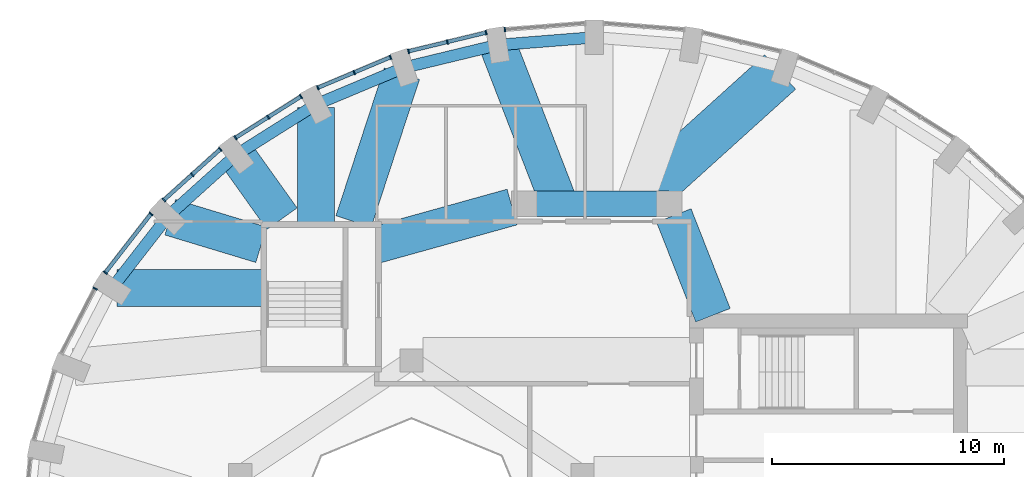
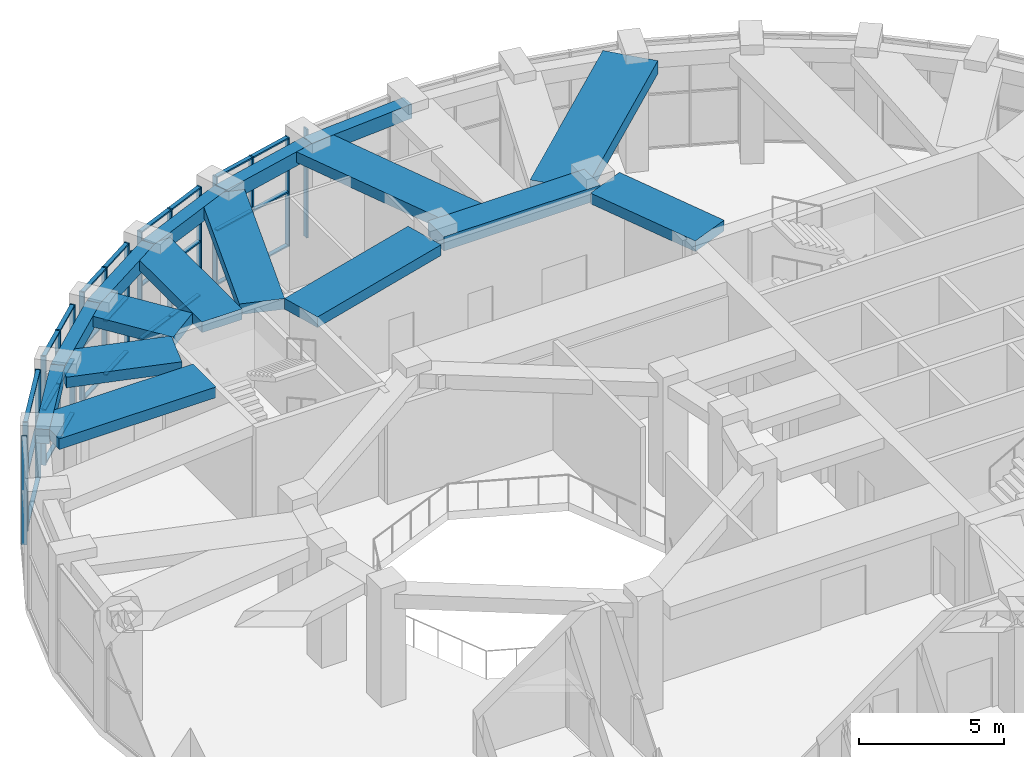
# One storey, part 7 of 16: 43 members, 16 beams, 7 elements without a shape of their own.
"""IFC4 building model written with IfcOpenShell, lengths in metres."""

import ifcopenshell
import ifcopenshell.guid

model = None  # the IFC model being written
_history = None  # IfcOwnerHistory: only IFC2X3 demands one
_inside = {}  # id of a spatial element -> (the spatial element, [elements in it])
_under = {}  # id of a project, library or spatial element -> (it, [spatial elements below it])
_declared = {}  # id of a project -> (the project, [libraries it declares])
_typed = {}  # id of a type object -> (the type object, [elements of that type])
_made_of = {}  # id of a material, layer set ... -> (it, [elements and type objects made of it])


def new_model(schema):
    """Start an empty IFC model of exactly this schema.

    Asked for "IFC4X3", IfcOpenShell would pick the latest addendum, in which some entities
    have other attributes; the version numbers below select the first issue.
    IFC2X3 requires an IfcOwnerHistory on every rooted entity: one is made here for all.
    """
    global model, _history
    if schema == "IFC4X3":
        model = ifcopenshell.file(schema_version=(4, 3, 0, 0))
    else:
        model = ifcopenshell.file(schema=schema)
    _inside.clear()
    _under.clear()
    _declared.clear()
    _typed.clear()
    _made_of.clear()
    _history = None
    if model.schema == "IFC2X3":
        org = make("IfcOrganization", Name="unknown")
        user = make(
            "IfcPersonAndOrganization",
            ThePerson=make("IfcPerson", FamilyName="unknown"),
            TheOrganization=org,
        )
        app = make(
            "IfcApplication",
            ApplicationDeveloper=org,
            Version="unknown",
            ApplicationFullName="unknown",
            ApplicationIdentifier="unknown",
        )
        _history = make(
            "IfcOwnerHistory",
            OwningUser=user,
            OwningApplication=app,
            ChangeAction="ADDED",
            CreationDate=0,
        )
    return model


def make(cls, **values):
    """One entity of the class cls with the attributes given. An attribute that is None is left unset."""
    return model.create_entity(
        cls, **{name: value for name, value in values.items() if value is not None}
    )


def rooted(cls, **values):
    """An entity with a GlobalId (a new one), such as an element, a storey or a relation."""
    return make(cls, GlobalId=ifcopenshell.guid.new(), OwnerHistory=_history, **values)


def si_unit(unit_type, name, prefix=None):
    """IfcSIUnit, for example si_unit("LENGTHUNIT", "METRE", prefix="MILLI")."""
    return make("IfcSIUnit", UnitType=unit_type, Prefix=prefix, Name=name)


def assignment(units):
    """IfcUnitAssignment: the units of a project."""
    return None if units is None else make("IfcUnitAssignment", Units=units)


def point(xyz):
    """IfcCartesianPoint."""
    return None if xyz is None else make("IfcCartesianPoint", Coordinates=xyz)


def direction(xyz):
    """IfcDirection."""
    return None if xyz is None else make("IfcDirection", DirectionRatios=xyz)


def frame(location, z_axis=None, x_axis=None):
    """IfcAxis2Placement3D, a coordinate frame: its origin and axes. An axis left out is left unset."""
    return make(
        "IfcAxis2Placement3D",
        Location=point(location),
        Axis=direction(z_axis),
        RefDirection=direction(x_axis),
    )


def frame_2d(location, x_axis=None):
    """IfcAxis2Placement2D, a coordinate frame in the plane: its origin and x axis."""
    return make(
        "IfcAxis2Placement2D", Location=point(location), RefDirection=direction(x_axis)
    )


def origin():
    """The frame at (0, 0, 0) with its axes left unset."""
    return frame((0.0, 0.0, 0.0))


def origin_2d():
    """The frame at (0, 0) in the plane with its x axis left unset."""
    return frame_2d((0.0, 0.0))


def place(relative_to, where):
    """IfcLocalPlacement: puts the frame where relative to a parent placement (None: the world)."""
    return make(
        "IfcLocalPlacement", PlacementRelTo=relative_to, RelativePlacement=where
    )


def context(
    kind, dimensions, precision=None, world=None, true_north=None, identifier=None
):
    """IfcGeometricRepresentationContext, for example the 3D "Model" context."""
    return make(
        "IfcGeometricRepresentationContext",
        ContextIdentifier=identifier,
        ContextType=kind,
        CoordinateSpaceDimension=dimensions,
        Precision=precision,
        WorldCoordinateSystem=world,
        TrueNorth=true_north,
    )


def subcontext(parent, identifier, kind, view, scale=None):
    """IfcGeometricRepresentationSubContext, for example "Body" below "Model"."""
    return make(
        "IfcGeometricRepresentationSubContext",
        ContextIdentifier=identifier,
        ContextType=kind,
        ParentContext=parent,
        TargetScale=scale,
        TargetView=view,
    )


def project(units=None, contexts=None):
    """IfcProject with its units and contexts."""
    return rooted(
        "IfcProject",
        Name="project",
        RepresentationContexts=contexts,
        UnitsInContext=assignment(units),
    )


def spatial(cls, under=None, at=None, **own):
    """A site, building, storey or space (cls), placed at a placement, below another one or the project."""
    s = rooted(cls, ObjectPlacement=at, **own)
    if under is not None:
        _under.setdefault(under.id(), (under, []))[1].append(s)
    return s


def profile(cls, at=None, kind="AREA", **sizes):
    """A parametric profile (cls). Its sizes go by their IFC names, for example OverallWidth=200.0."""
    return make(cls, ProfileType=kind, Position=at, **sizes)


def rectangle(**sizes):
    """IfcRectangleProfileDef."""
    return profile("IfcRectangleProfileDef", **sizes)


def extrude(swept, where, along, depth):
    """IfcExtrudedAreaSolid: the profile swept, set in the frame where, extruded along a direction by depth."""
    return make(
        "IfcExtrudedAreaSolid",
        SweptArea=swept,
        Position=where,
        ExtrudedDirection=direction(along),
        Depth=depth,
    )


def shape(context_of_items, identifier, shape_type, items):
    """IfcShapeRepresentation: the items that make up one representation, for example the "Body"."""
    return make(
        "IfcShapeRepresentation",
        ContextOfItems=context_of_items,
        RepresentationIdentifier=identifier,
        RepresentationType=shape_type,
        Items=items,
    )


def material(Name=None, Category=None):
    """IfcMaterial."""
    return make("IfcMaterial", Name=Name, Category=Category)


def material_profile(
    of_material, cross_section, Name=None, Category=None, Priority=None
):
    """IfcMaterialProfile: a cross section and its material."""
    return make(
        "IfcMaterialProfile",
        Name=Name,
        Material=of_material,
        Profile=cross_section,
        Priority=Priority,
        Category=Category,
    )


def profile_set(profiles, Name=None, composite=None):
    """IfcMaterialProfileSet."""
    return make(
        "IfcMaterialProfileSet",
        Name=Name,
        MaterialProfiles=profiles,
        CompositeProfile=composite,
    )


def made_of(thing, what):
    """Note that an element or type object is made of a material, layer set ...; save() writes the relation."""
    if what is not None:
        _made_of.setdefault(what.id(), (what, []))[1].append(thing)
    return thing


def type_object(cls, material=None, **own):
    """A type object (cls), such as IfcWallType, which elements share."""
    return made_of(rooted(cls, **own), material)


def element(
    cls,
    number,
    at=None,
    inside=None,
    cuts=None,
    type_object=None,
    material=None,
    context=None,
    identifier="Body",
    shape_type=None,
    held_by="IfcProductDefinitionShape",
    body=None,
    shapes=None,
    **own,
):
    """One element of the class cls, such as IfcWall. Its Tag is "e" and its number.

    at: its placement. inside: the storey or other place that contains it. cuts: it is an
    opening in that element (IfcRelVoidsElement). A single representation is given by context,
    identifier, shape_type and body (its items); several are given by shapes. held_by: the class
    of the entity that holds the representations. save() writes the other relations.
    """
    e = rooted(cls, Tag="e%d" % number, ObjectPlacement=at, **own)
    if body is not None:
        shapes = [shape(context, identifier, shape_type, body)]
    if shapes is not None:
        e.Representation = make(held_by, Representations=shapes)
    if inside is not None:
        _inside.setdefault(inside.id(), (inside, []))[1].append(e)
    if cuts is not None:
        rooted(
            "IfcRelVoidsElement", RelatingBuildingElement=cuts, RelatedOpeningElement=e
        )
    if type_object is not None:
        _typed.setdefault(type_object.id(), (type_object, []))[1].append(e)
    return made_of(e, material)


def aggregate(whole, parts):
    """IfcRelAggregates: a whole, such as a stair, and the parts it consists of."""
    return rooted("IfcRelAggregates", RelatingObject=whole, RelatedObjects=parts)


def save(model, path):
    """Write the relations noted so far, then the file.

    IfcRelAggregates (storeys below a building ...), IfcRelContainedInSpatialStructure (elements
    in a storey), IfcRelDefinesByType, IfcRelAssociatesMaterial and IfcRelDeclares: one each for
    every whole, place, type object, material and project.
    """
    for whole, parts in _under.values():
        aggregate(whole, parts)
    for where, things in _inside.values():
        rooted(
            "IfcRelContainedInSpatialStructure",
            RelatedElements=things,
            RelatingStructure=where,
        )
    for kind, things in _typed.values():
        rooted("IfcRelDefinesByType", RelatedObjects=things, RelatingType=kind)
    for what, things in _made_of.values():
        rooted("IfcRelAssociatesMaterial", RelatedObjects=things, RelatingMaterial=what)
    for by, libraries in _declared.values():
        rooted("IfcRelDeclares", RelatingContext=by, RelatedDefinitions=libraries)
    model.write(path)


model = new_model("IFC4")

# Units and contexts
model_context = context("Model", 3, precision=1e-05, world=origin(), true_north=direction((0.0, 1.0)))
body_context = subcontext(model_context, "Body", "Model", "MODEL_VIEW")
ifc_project = project(units=[si_unit("LENGTHUNIT", "METRE"), si_unit("AREAUNIT", "SQUARE_METRE"), si_unit("VOLUMEUNIT", "CUBIC_METRE"), si_unit("PLANEANGLEUNIT", "RADIAN"), si_unit("MASSUNIT", "GRAM", prefix="KILO")], contexts=[model_context])

# Site, building, storey
site_placement = place(None, origin())
site = spatial("IfcSite", under=ifc_project, at=site_placement, CompositionType="ELEMENT")
building_placement = place(site_placement, origin())
building = spatial("IfcBuilding", under=site, at=building_placement, Name="Taillehof Tower", CompositionType="ELEMENT")
storey_placement = place(building_placement, frame((0.0, 0.0, 264.199951171875)))
storey = spatial("IfcBuildingStorey", under=building, at=storey_placement, Name="L75", CompositionType="ELEMENT", Elevation=264.199951171875)

# Beams
ifc_material_1 = material(Name="Concrete C50/60", Category="concrete")
ifc_material_profile_1 = material_profile(ifc_material_1, rectangle(XDim=1.10009765625, YDim=0.60009765625, at=origin_2d()), Name="RC 1100x600")
ifc_profile_set_1 = profile_set([ifc_material_profile_1], Name="Concrete C50/60")
beam_type_1 = type_object("IfcBeamType", Name="Mid-ring beam C50/60 1100x600", PredefinedType="BEAM", material=ifc_profile_set_1)
beam_1_placement = place(storey_placement, frame((3.125732421875, 14.772216796875, 4.2900390625), z_axis=(-1.0, 0.0, 0.0), x_axis=(0.0, -1.0, 0.0)))
element("IfcBeam", 1, at=beam_1_placement, inside=storey, type_object=beam_type_1, Name="Mid-ring beam MB01", PredefinedType="BEAM", context=body_context, shape_type="SweptSolid", body=[
    extrude(rectangle(XDim=1.10009765625, YDim=0.60009765625, at=origin_2d()), origin(), (0.0, 0.0, 1.0), 6.25146484375),
])
ifc_material_2 = material(Name="Concrete C50/60", Category="concrete")
ifc_material_profile_2 = material_profile(ifc_material_2, rectangle(XDim=1.60009765625, YDim=0.449951171875, at=origin_2d()), Name="RC 1600x450")
ifc_profile_set_2 = profile_set([ifc_material_profile_2], Name="Concrete C50/60")
beam_type_2 = type_object("IfcBeamType", Name="Radial band beam C50/60 1600x450", PredefinedType="BEAM", material=ifc_profile_set_2)
beam_2_placement = place(storey_placement, frame((-4.276123046875, 21.62109375, 4.364990234375), z_axis=(0.360900836016, -0.932604196089, 0.0), x_axis=(0.932604196089, 0.360900836016, 0.0)))
element("IfcBeam", 2, at=beam_2_placement, inside=storey, type_object=beam_type_2, Name="Radial band beam RB11", PredefinedType="BEAM", context=body_context, shape_type="SweptSolid", body=[
    extrude(rectangle(XDim=1.60009765625, YDim=0.449951171875, at=origin_2d()), origin(), (0.0, 0.0, 1.0), 7.34375),
])
beam_3_placement = place(storey_placement, frame((-8.41162109375, 20.38134765625, 4.364990234375), z_axis=(-0.311042642597, -0.950395956687, 0.0), x_axis=(0.950395956687, -0.311042642597, 0.0)))
element("IfcBeam", 3, at=beam_3_placement, inside=storey, type_object=beam_type_2, Name="Radial band beam RB12", PredefinedType="BEAM", context=body_context, shape_type="SweptSolid", body=[
    extrude(rectangle(XDim=1.60009765625, YDim=0.449951171875, at=origin_2d()), origin(), (0.0, 0.0, 1.0), 6.715576171875),
])
beam_4_placement = place(storey_placement, frame((-12.125, 18.91552734375, 4.364990234375), z_axis=(0.0, -1.0, 0.0), x_axis=(1.0, 0.0, 0.0)))
element("IfcBeam", 4, at=beam_4_placement, inside=storey, type_object=beam_type_2, Name="Radial band beam RB13", PredefinedType="BEAM", context=body_context, shape_type="SweptSolid", body=[
    extrude(rectangle(XDim=1.60009765625, YDim=0.449951171875, at=origin_2d()), origin(), (0.0, 0.0, 1.0), 4.965576171875),
])
beam_5_placement = place(storey_placement, frame((-15.55908203125, 16.884765625, 4.364990234375), z_axis=(0.580959197129, -0.813932682272, 0.0), x_axis=(0.813932682272, 0.580959197129, 0.0)))
element("IfcBeam", 5, at=beam_5_placement, inside=storey, type_object=beam_type_2, Name="Radial band beam RB14", PredefinedType="BEAM", context=body_context, shape_type="SweptSolid", body=[
    extrude(rectangle(XDim=1.60009765625, YDim=0.449951171875, at=origin_2d()), origin(), (0.0, 0.0, 1.0), 3.394287109375),
])
beam_6_placement = place(storey_placement, frame((-18.413818359375, 14.18310546875, 4.364990234375), z_axis=(0.957221394865, -0.289356529584, 0.0), x_axis=(0.289356529584, 0.957221394865, 0.0)))
element("IfcBeam", 6, at=beam_6_placement, inside=storey, type_object=beam_type_2, Name="Radial band beam RB15", PredefinedType="BEAM", context=body_context, shape_type="SweptSolid", body=[
    extrude(rectangle(XDim=1.60009765625, YDim=0.449951171875, at=origin_2d()), origin(), (0.0, 0.0, 1.0), 4.102294921875),
])
beam_7_placement = place(storey_placement, frame((-20.7119140625, 11.125, 4.364990234375), z_axis=(1.0, 0.0, 0.0), x_axis=(0.0, 1.0, 0.0)))
element("IfcBeam", 7, at=beam_7_placement, inside=storey, type_object=beam_type_2, Name="Radial band beam RB16", PredefinedType="BEAM", context=body_context, shape_type="SweptSolid", body=[
    extrude(rectangle(XDim=1.60009765625, YDim=0.449951171875, at=origin_2d()), origin(), (0.0, 0.0, 1.0), 6.261962890625),
])
beam_8_placement = place(storey_placement, frame((3.32666015625, 14.26025390625, 4.364990234375), z_axis=(0.365588707223, -0.930776502255, 0.0), x_axis=(0.930776502255, 0.365588707223, 0.0)))
element("IfcBeam", 8, at=beam_8_placement, inside=storey, type_object=beam_type_2, Name="Inner band beam IB205", PredefinedType="BEAM", context=body_context, shape_type="SweptSolid", body=[
    extrude(rectangle(XDim=1.60009765625, YDim=0.449951171875, at=origin_2d()), origin(), (0.0, 0.0, 1.0), 4.627197265625),
])
beam_9_placement = place(storey_placement, frame((-3.655517578125, 14.624755859375, 4.364990234375), z_axis=(-0.963459369536, -0.267854518821, 0.0), x_axis=(0.267854518821, -0.963459369536, 0.0)))
element("IfcBeam", 9, at=beam_9_placement, inside=storey, type_object=beam_type_2, Name="Inner band beam IB206", PredefinedType="BEAM", context=body_context, shape_type="SweptSolid", body=[
    extrude(rectangle(XDim=1.60009765625, YDim=0.449951171875, at=origin_2d()), origin(), (0.0, 0.0, 1.0), 6.096923828125),
])
ifc_material_3 = material(Name="Concrete C50/60", Category="concrete")
ifc_material_profile_3 = material_profile(ifc_material_3, rectangle(XDim=2.0, YDim=0.550048828125, at=origin_2d()), Name="RC 2000x550")
ifc_profile_set_3 = profile_set([ifc_material_profile_3], Name="Concrete C50/60")
beam_type_3 = type_object("IfcBeamType", Name="Radial band beam C50/60 2000x550", PredefinedType="BEAM", material=ifc_profile_set_3)
beam_10_placement = place(storey_placement, frame((7.9150390625, 20.4541015625, 4.31494140625), z_axis=(-0.742031364941, -0.670365164253, 0.0), x_axis=(0.670365164253, -0.742031364941, 0.0)))
element("IfcBeam", 10, at=beam_10_placement, inside=storey, type_object=beam_type_3, Name="Radial band beam RB08", PredefinedType="BEAM", context=body_context, shape_type="SweptSolid", body=[
    extrude(rectangle(XDim=2.0, YDim=0.550048828125, at=origin_2d()), origin(), (0.0, 0.0, 1.0), 8.189453125),
])

# Curtain wall, member
ifc_material_4 = material(Name="Aluminium curtain wall with Clear laminated safety glass", Category="aluminium")
curtain_wall_type = type_object("IfcCurtainWallType", Name="Sky restaurant curtain wall", PredefinedType="USERDEFINED", material=ifc_material_4)
curtain_wall_1_placement = place(storey_placement, origin())
curtain_wall_1 = element("IfcCurtainWall", 11, at=curtain_wall_1_placement, inside=storey, type_object=curtain_wall_type, Name="Sky restaurant L75 bay 10", ObjectType="WINDOW WALL", PredefinedType="USERDEFINED")
ifc_material_5 = material(Name="Aluminium mullion", Category="aluminium")
ifc_material_profile_4 = material_profile(ifc_material_5, rectangle(XDim=0.199951171875, YDim=0.06005859375, at=origin_2d()), Name="AL 60x200")
ifc_profile_set_4 = profile_set([ifc_material_profile_4], Name="Aluminium mullion")
member_type_1 = type_object("IfcMemberType", Name="Sky restaurant mullion 60x200", PredefinedType="MULLION", material=ifc_profile_set_4)
member_1_placement = place(storey_placement, frame((-3.966796875, 22.28515625, 0.0), z_axis=(0.0, 0.0, 1.0), x_axis=(0.078525059075, -0.996912140109, 0.0)))
member_1 = element("IfcMember", 12, at=member_1_placement, type_object=member_type_1, Name="CT5E10 mullion 3", PredefinedType="MULLION", context=body_context, shape_type="SweptSolid", body=[
    extrude(rectangle(XDim=0.199951171875, YDim=0.06005859375, at=origin_2d()), origin(), (0.0, 0.0, 1.0), 4.590087890625),
])
aggregate(curtain_wall_1, [member_1])

# Curtain wall, members
curtain_wall_2_placement = place(storey_placement, origin())
curtain_wall_2 = element("IfcCurtainWall", 13, at=curtain_wall_2_placement, inside=storey, type_object=curtain_wall_type, Name="Sky restaurant L75 bay 11", ObjectType="WINDOW WALL", PredefinedType="USERDEFINED")
member_2_placement = place(storey_placement, frame((-4.776611328125, 22.15625, 0.0), z_axis=(0.0, 0.0, 1.0), x_axis=(0.234514520129, -0.972112616855, 0.0)))
member_2 = element("IfcMember", 14, at=member_2_placement, type_object=member_type_1, Name="CT5E11 mullion 1", PredefinedType="MULLION", context=body_context, shape_type="SweptSolid", body=[
    extrude(rectangle(XDim=0.199951171875, YDim=0.06005859375, at=origin_2d()), origin(), (0.0, 0.0, 1.0), 4.590087890625),
])
member_3_placement = place(storey_placement, frame((-6.451171875, 21.75244140625, 0.0), z_axis=(0.0, 0.0, 1.0), x_axis=(0.234514520129, -0.972112616855, 0.0)))
member_3 = element("IfcMember", 15, at=member_3_placement, type_object=member_type_1, Name="CT5E11 mullion 2", PredefinedType="MULLION", context=body_context, shape_type="SweptSolid", body=[
    extrude(rectangle(XDim=0.199951171875, YDim=0.06005859375, at=origin_2d()), origin(), (0.0, 0.0, 1.0), 4.590087890625),
])
member_4_placement = place(storey_placement, frame((-8.12548828125, 21.348388671875, 0.0), z_axis=(0.0, 0.0, 1.0), x_axis=(0.234514520129, -0.972112616855, 0.0)))
member_4 = element("IfcMember", 16, at=member_4_placement, type_object=member_type_1, Name="CT5E11 mullion 3", PredefinedType="MULLION", context=body_context, shape_type="SweptSolid", body=[
    extrude(rectangle(XDim=0.199951171875, YDim=0.06005859375, at=origin_2d()), origin(), (0.0, 0.0, 1.0), 4.590087890625),
])

curtain_wall_3_placement = place(storey_placement, origin())
curtain_wall_3 = element("IfcCurtainWall", 17, at=curtain_wall_3_placement, inside=storey, type_object=curtain_wall_type, Name="Sky restaurant L75 bay 12", ObjectType="WINDOW WALL", PredefinedType="USERDEFINED")
member_5_placement = place(storey_placement, frame((-8.904541015625, 21.0927734375, 0.0), z_axis=(0.0, 0.0, 1.0), x_axis=(0.387100713636, -0.922037438233, 0.0)))
member_5 = element("IfcMember", 18, at=member_5_placement, type_object=member_type_1, Name="CT5E12 mullion 1", PredefinedType="MULLION", context=body_context, shape_type="SweptSolid", body=[
    extrude(rectangle(XDim=0.199951171875, YDim=0.06005859375, at=origin_2d()), origin(), (0.0, 0.0, 1.0), 4.590087890625),
])
member_6_placement = place(storey_placement, frame((-10.472900390625, 20.434326171875, 0.0), z_axis=(0.0, 0.0, 1.0), x_axis=(0.387100713636, -0.922037438233, 0.0)))
member_6 = element("IfcMember", 19, at=member_6_placement, type_object=member_type_1, Name="CT5E12 mullion 2", PredefinedType="MULLION", context=body_context, shape_type="SweptSolid", body=[
    extrude(rectangle(XDim=0.199951171875, YDim=0.06005859375, at=origin_2d()), origin(), (0.0, 0.0, 1.0), 4.590087890625),
])
member_7_placement = place(storey_placement, frame((-12.04150390625, 19.77587890625, 0.0), z_axis=(0.0, 0.0, 1.0), x_axis=(0.387100713636, -0.922037438233, 0.0)))
member_7 = element("IfcMember", 20, at=member_7_placement, type_object=member_type_1, Name="CT5E12 mullion 3", PredefinedType="MULLION", context=body_context, shape_type="SweptSolid", body=[
    extrude(rectangle(XDim=0.199951171875, YDim=0.06005859375, at=origin_2d()), origin(), (0.0, 0.0, 1.0), 4.590087890625),
])

curtain_wall_4_placement = place(storey_placement, origin())
curtain_wall_4 = element("IfcCurtainWall", 21, at=curtain_wall_4_placement, inside=storey, type_object=curtain_wall_type, Name="Sky restaurant L75 bay 13", ObjectType="WINDOW WALL", PredefinedType="USERDEFINED")
member_8_placement = place(storey_placement, frame((-12.768798828125, 19.397216796875, 0.0), z_axis=(0.0, 0.0, 1.0), x_axis=(0.533294430468, -0.845929695916, 0.0)))
member_8 = element("IfcMember", 22, at=member_8_placement, type_object=member_type_1, Name="CT5E13 mullion 1", PredefinedType="MULLION", context=body_context, shape_type="SweptSolid", body=[
    extrude(rectangle(XDim=0.199951171875, YDim=0.06005859375, at=origin_2d()), origin(), (0.0, 0.0, 1.0), 4.590087890625),
])
member_9_placement = place(storey_placement, frame((-14.18310546875, 18.505615234375, 0.0), z_axis=(0.0, 0.0, 1.0), x_axis=(0.533294430468, -0.845929695916, 0.0)))
member_9 = element("IfcMember", 23, at=member_9_placement, type_object=member_type_1, Name="CT5E13 mullion 2", PredefinedType="MULLION", context=body_context, shape_type="SweptSolid", body=[
    extrude(rectangle(XDim=0.199951171875, YDim=0.06005859375, at=origin_2d()), origin(), (0.0, 0.0, 1.0), 4.590087890625),
])
member_10_placement = place(storey_placement, frame((-15.59716796875, 17.614013671875, 0.0), z_axis=(0.0, 0.0, 1.0), x_axis=(0.533294430468, -0.845929695916, 0.0)))
member_10 = element("IfcMember", 24, at=member_10_placement, type_object=member_type_1, Name="CT5E13 mullion 3", PredefinedType="MULLION", context=body_context, shape_type="SweptSolid", body=[
    extrude(rectangle(XDim=0.199951171875, YDim=0.06005859375, at=origin_2d()), origin(), (0.0, 0.0, 1.0), 4.590087890625),
])

curtain_wall_5_placement = place(storey_placement, origin())
curtain_wall_5 = element("IfcCurtainWall", 25, at=curtain_wall_5_placement, inside=storey, type_object=curtain_wall_type, Name="Sky restaurant L75 bay 14", ObjectType="WINDOW WALL", PredefinedType="USERDEFINED")
member_11_placement = place(storey_placement, frame((-16.251220703125, 17.119384765625, 0.0), z_axis=(0.0, 0.0, 1.0), x_axis=(0.669107157872, -0.74316593792, 0.0)))
member_11 = element("IfcMember", 26, at=member_11_placement, type_object=member_type_1, Name="CT5E14 mullion 1", PredefinedType="MULLION", context=body_context, shape_type="SweptSolid", body=[
    extrude(rectangle(XDim=0.199951171875, YDim=0.06005859375, at=origin_2d()), origin(), (0.0, 0.0, 1.0), 4.590087890625),
])
member_12_placement = place(storey_placement, frame((-17.468505859375, 16.023193359375, 0.0), z_axis=(0.0, 0.0, 1.0), x_axis=(0.669107157872, -0.74316593792, 0.0)))
member_12 = element("IfcMember", 27, at=member_12_placement, type_object=member_type_1, Name="CT5E14 mullion 2", PredefinedType="MULLION", context=body_context, shape_type="SweptSolid", body=[
    extrude(rectangle(XDim=0.199951171875, YDim=0.06005859375, at=origin_2d()), origin(), (0.0, 0.0, 1.0), 4.590087890625),
])
member_13_placement = place(storey_placement, frame((-18.68603515625, 14.927001953125, 0.0), z_axis=(0.0, 0.0, 1.0), x_axis=(0.669107157872, -0.74316593792, 0.0)))
member_13 = element("IfcMember", 28, at=member_13_placement, type_object=member_type_1, Name="CT5E14 mullion 3", PredefinedType="MULLION", context=body_context, shape_type="SweptSolid", body=[
    extrude(rectangle(XDim=0.199951171875, YDim=0.06005859375, at=origin_2d()), origin(), (0.0, 0.0, 1.0), 4.590087890625),
])

curtain_wall_6_placement = place(storey_placement, origin())
curtain_wall_6 = element("IfcCurtainWall", 29, at=curtain_wall_6_placement, inside=storey, type_object=curtain_wall_type, Name="Sky restaurant L75 bay 15", ObjectType="WINDOW WALL", PredefinedType="USERDEFINED")
member_14_placement = place(storey_placement, frame((-19.24462890625, 14.326904296875, 0.0), z_axis=(0.0, 0.0, 1.0), x_axis=(0.789381612432, -0.613902818005, 0.0)))
member_14 = element("IfcMember", 30, at=member_14_placement, type_object=member_type_1, Name="CT5E15 mullion 1", PredefinedType="MULLION", context=body_context, shape_type="SweptSolid", body=[
    extrude(rectangle(XDim=0.199951171875, YDim=0.06005859375, at=origin_2d()), origin(), (0.0, 0.0, 1.0), 4.590087890625),
])
member_15_placement = place(storey_placement, frame((-21.214111328125, 11.79443359375, 0.0), z_axis=(0.0, 0.0, 1.0), x_axis=(0.789381612432, -0.613902818005, 0.0)))
member_15 = element("IfcMember", 31, at=member_15_placement, type_object=member_type_1, Name="CT5E15 mullion 2", PredefinedType="MULLION", context=body_context, shape_type="SweptSolid", body=[
    extrude(rectangle(XDim=0.199951171875, YDim=0.06005859375, at=origin_2d()), origin(), (0.0, 0.0, 1.0), 4.590087890625),
])

# Curtain wall, member
curtain_wall_7_placement = place(storey_placement, origin())
curtain_wall_7 = element("IfcCurtainWall", 32, at=curtain_wall_7_placement, inside=storey, type_object=curtain_wall_type, Name="Sky restaurant L75 bay 16", ObjectType="WINDOW WALL", PredefinedType="USERDEFINED")
member_16_placement = place(storey_placement, frame((-21.656005859375, 11.10400390625, 0.0), z_axis=(0.0, 0.0, 1.0), x_axis=(0.887975262702, -0.459891218474, 0.0)))
member_16 = element("IfcMember", 33, at=member_16_placement, type_object=member_type_1, Name="CT5E16 mullion 1", PredefinedType="MULLION", context=body_context, shape_type="SweptSolid", body=[
    extrude(rectangle(XDim=0.199951171875, YDim=0.06005859375, at=origin_2d()), origin(), (0.0, 0.0, 1.0), 4.590087890625),
])
aggregate(curtain_wall_7, [member_16])

# Member
ifc_material_6 = material(Name="Aluminium transom", Category="aluminium")
ifc_material_profile_5 = material_profile(ifc_material_6, rectangle(XDim=0.159912109375, YDim=0.06005859375, at=origin_2d()), Name="AL 160x60")
ifc_profile_set_5 = profile_set([ifc_material_profile_5], Name="Aluminium transom")
member_type_2 = type_object("IfcMemberType", Name="Sky restaurant transom 160x60", PredefinedType="USERDEFINED", material=ifc_profile_set_5)
member_17_placement = place(storey_placement, frame((-4.8056640625, 22.1494140625, 0.030029296875), z_axis=(-0.97211338391, -0.234511340499, 0.0), x_axis=(0.234511340499, -0.97211338391, 0.0)))
member_17 = element("IfcMember", 34, at=member_17_placement, type_object=member_type_2, Name="CT5E11 transom 1.1", ObjectType="TRANSOM", PredefinedType="USERDEFINED", context=body_context, shape_type="SweptSolid", body=[
    extrude(rectangle(XDim=0.159912109375, YDim=0.06005859375, at=origin_2d()), origin(), (0.0, 0.0, 1.0), 1.66259765625),
])

member_18_placement = place(storey_placement, frame((-4.8056640625, 22.1494140625, 2.295166015625), z_axis=(-0.97211338391, -0.234511340499, 0.0), x_axis=(0.234511340499, -0.97211338391, 0.0)))
member_18 = element("IfcMember", 35, at=member_18_placement, type_object=member_type_2, Name="CT5E11 transom 1.2", ObjectType="TRANSOM", PredefinedType="USERDEFINED", context=body_context, shape_type="SweptSolid", body=[
    extrude(rectangle(XDim=0.159912109375, YDim=0.06005859375, at=origin_2d()), origin(), (0.0, 0.0, 1.0), 1.66259765625),
])

member_19_placement = place(storey_placement, frame((-4.8056640625, 22.1494140625, 4.56005859375), z_axis=(-0.97211338391, -0.234511340499, 0.0), x_axis=(0.234511340499, -0.97211338391, 0.0)))
member_19 = element("IfcMember", 36, at=member_19_placement, type_object=member_type_2, Name="CT5E11 transom 1.3", ObjectType="TRANSOM", PredefinedType="USERDEFINED", context=body_context, shape_type="SweptSolid", body=[
    extrude(rectangle(XDim=0.159912109375, YDim=0.06005859375, at=origin_2d()), origin(), (0.0, 0.0, 1.0), 1.66259765625),
])

member_20_placement = place(storey_placement, frame((-6.480224609375, 21.745361328125, 0.030029296875), z_axis=(-0.97211338391, -0.234511340499, 0.0), x_axis=(0.234511340499, -0.97211338391, 0.0)))
member_20 = element("IfcMember", 37, at=member_20_placement, type_object=member_type_2, Name="CT5E11 transom 2.1", ObjectType="TRANSOM", PredefinedType="USERDEFINED", context=body_context, shape_type="SweptSolid", body=[
    extrude(rectangle(XDim=0.159912109375, YDim=0.06005859375, at=origin_2d()), origin(), (0.0, 0.0, 1.0), 1.66259765625),
])

member_21_placement = place(storey_placement, frame((-6.480224609375, 21.745361328125, 2.295166015625), z_axis=(-0.97211338391, -0.234511340499, 0.0), x_axis=(0.234511340499, -0.97211338391, 0.0)))
member_21 = element("IfcMember", 38, at=member_21_placement, type_object=member_type_2, Name="CT5E11 transom 2.2", ObjectType="TRANSOM", PredefinedType="USERDEFINED", context=body_context, shape_type="SweptSolid", body=[
    extrude(rectangle(XDim=0.159912109375, YDim=0.06005859375, at=origin_2d()), origin(), (0.0, 0.0, 1.0), 1.66259765625),
])

member_22_placement = place(storey_placement, frame((-6.480224609375, 21.745361328125, 4.56005859375), z_axis=(-0.97211338391, -0.234511340499, 0.0), x_axis=(0.234511340499, -0.97211338391, 0.0)))
member_22 = element("IfcMember", 39, at=member_22_placement, type_object=member_type_2, Name="CT5E11 transom 2.3", ObjectType="TRANSOM", PredefinedType="USERDEFINED", context=body_context, shape_type="SweptSolid", body=[
    extrude(rectangle(XDim=0.159912109375, YDim=0.06005859375, at=origin_2d()), origin(), (0.0, 0.0, 1.0), 1.66259765625),
])

aggregate(curtain_wall_2, [member_2, member_3, member_4, member_17, member_18, member_19, member_20, member_21, member_22])

member_23_placement = place(storey_placement, frame((-8.93212890625, 21.081298828125, 0.030029296875), z_axis=(-0.922043704078, -0.387085788643, 0.0), x_axis=(0.387085788643, -0.922043704078, 0.0)))
member_23 = element("IfcMember", 40, at=member_23_placement, type_object=member_type_2, Name="CT5E12 transom 1.1", ObjectType="TRANSOM", PredefinedType="USERDEFINED", context=body_context, shape_type="SweptSolid", body=[
    extrude(rectangle(XDim=0.159912109375, YDim=0.06005859375, at=origin_2d()), origin(), (0.0, 0.0, 1.0), 1.64111328125),
])

member_24_placement = place(storey_placement, frame((-8.93212890625, 21.081298828125, 2.295166015625), z_axis=(-0.922043704078, -0.387085788643, 0.0), x_axis=(0.387085788643, -0.922043704078, 0.0)))
member_24 = element("IfcMember", 41, at=member_24_placement, type_object=member_type_2, Name="CT5E12 transom 1.2", ObjectType="TRANSOM", PredefinedType="USERDEFINED", context=body_context, shape_type="SweptSolid", body=[
    extrude(rectangle(XDim=0.159912109375, YDim=0.06005859375, at=origin_2d()), origin(), (0.0, 0.0, 1.0), 1.64111328125),
])

member_25_placement = place(storey_placement, frame((-8.93212890625, 21.081298828125, 4.56005859375), z_axis=(-0.922043704078, -0.387085788643, 0.0), x_axis=(0.387085788643, -0.922043704078, 0.0)))
member_25 = element("IfcMember", 42, at=member_25_placement, type_object=member_type_2, Name="CT5E12 transom 1.3", ObjectType="TRANSOM", PredefinedType="USERDEFINED", context=body_context, shape_type="SweptSolid", body=[
    extrude(rectangle(XDim=0.159912109375, YDim=0.06005859375, at=origin_2d()), origin(), (0.0, 0.0, 1.0), 1.64111328125),
])

member_26_placement = place(storey_placement, frame((-10.500732421875, 20.422607421875, 0.030029296875), z_axis=(-0.922021409269, -0.387138890902, 0.0), x_axis=(0.387138890902, -0.922021409269, 0.0)))
member_26 = element("IfcMember", 43, at=member_26_placement, type_object=member_type_2, Name="CT5E12 transom 2.1", ObjectType="TRANSOM", PredefinedType="USERDEFINED", context=body_context, shape_type="SweptSolid", body=[
    extrude(rectangle(XDim=0.159912109375, YDim=0.06005859375, at=origin_2d()), origin(), (0.0, 0.0, 1.0), 1.640869140625),
])

member_27_placement = place(storey_placement, frame((-10.500732421875, 20.422607421875, 2.295166015625), z_axis=(-0.922021409269, -0.387138890902, 0.0), x_axis=(0.387138890902, -0.922021409269, 0.0)))
member_27 = element("IfcMember", 44, at=member_27_placement, type_object=member_type_2, Name="CT5E12 transom 2.2", ObjectType="TRANSOM", PredefinedType="USERDEFINED", context=body_context, shape_type="SweptSolid", body=[
    extrude(rectangle(XDim=0.159912109375, YDim=0.06005859375, at=origin_2d()), origin(), (0.0, 0.0, 1.0), 1.640869140625),
])

member_28_placement = place(storey_placement, frame((-10.500732421875, 20.422607421875, 4.56005859375), z_axis=(-0.922021409269, -0.387138890902, 0.0), x_axis=(0.387138890902, -0.922021409269, 0.0)))
member_28 = element("IfcMember", 45, at=member_28_placement, type_object=member_type_2, Name="CT5E12 transom 2.3", ObjectType="TRANSOM", PredefinedType="USERDEFINED", context=body_context, shape_type="SweptSolid", body=[
    extrude(rectangle(XDim=0.159912109375, YDim=0.06005859375, at=origin_2d()), origin(), (0.0, 0.0, 1.0), 1.640869140625),
])

aggregate(curtain_wall_3, [member_5, member_6, member_7, member_23, member_24, member_25, member_26, member_27, member_28])

member_29_placement = place(storey_placement, frame((-12.794189453125, 19.38134765625, 0.030029296875), z_axis=(-0.845924117153, -0.533303279587, 0.0), x_axis=(0.533303279587, -0.845924117153, 0.0)))
member_29 = element("IfcMember", 46, at=member_29_placement, type_object=member_type_2, Name="CT5E13 transom 1.1", ObjectType="TRANSOM", PredefinedType="USERDEFINED", context=body_context, shape_type="SweptSolid", body=[
    extrude(rectangle(XDim=0.159912109375, YDim=0.06005859375, at=origin_2d()), origin(), (0.0, 0.0, 1.0), 1.61181640625),
])

member_30_placement = place(storey_placement, frame((-12.794189453125, 19.38134765625, 2.295166015625), z_axis=(-0.845924117153, -0.533303279587, 0.0), x_axis=(0.533303279587, -0.845924117153, 0.0)))
member_30 = element("IfcMember", 47, at=member_30_placement, type_object=member_type_2, Name="CT5E13 transom 1.2", ObjectType="TRANSOM", PredefinedType="USERDEFINED", context=body_context, shape_type="SweptSolid", body=[
    extrude(rectangle(XDim=0.159912109375, YDim=0.06005859375, at=origin_2d()), origin(), (0.0, 0.0, 1.0), 1.61181640625),
])

member_31_placement = place(storey_placement, frame((-12.794189453125, 19.38134765625, 4.56005859375), z_axis=(-0.845924117153, -0.533303279587, 0.0), x_axis=(0.533303279587, -0.845924117153, 0.0)))
member_31 = element("IfcMember", 48, at=member_31_placement, type_object=member_type_2, Name="CT5E13 transom 1.3", ObjectType="TRANSOM", PredefinedType="USERDEFINED", context=body_context, shape_type="SweptSolid", body=[
    extrude(rectangle(XDim=0.159912109375, YDim=0.06005859375, at=origin_2d()), origin(), (0.0, 0.0, 1.0), 1.61181640625),
])

member_32_placement = place(storey_placement, frame((-14.20849609375, 18.48974609375, 0.030029296875), z_axis=(-0.845924117153, -0.533303279587, 0.0), x_axis=(0.533303279587, -0.845924117153, 0.0)))
member_32 = element("IfcMember", 49, at=member_32_placement, type_object=member_type_2, Name="CT5E13 transom 2.1", ObjectType="TRANSOM", PredefinedType="USERDEFINED", context=body_context, shape_type="SweptSolid", body=[
    extrude(rectangle(XDim=0.159912109375, YDim=0.06005859375, at=origin_2d()), origin(), (0.0, 0.0, 1.0), 1.61181640625),
])

member_33_placement = place(storey_placement, frame((-14.20849609375, 18.48974609375, 2.295166015625), z_axis=(-0.845924117153, -0.533303279587, 0.0), x_axis=(0.533303279587, -0.845924117153, 0.0)))
member_33 = element("IfcMember", 50, at=member_33_placement, type_object=member_type_2, Name="CT5E13 transom 2.2", ObjectType="TRANSOM", PredefinedType="USERDEFINED", context=body_context, shape_type="SweptSolid", body=[
    extrude(rectangle(XDim=0.159912109375, YDim=0.06005859375, at=origin_2d()), origin(), (0.0, 0.0, 1.0), 1.61181640625),
])

member_34_placement = place(storey_placement, frame((-14.20849609375, 18.48974609375, 4.56005859375), z_axis=(-0.845924117153, -0.533303279587, 0.0), x_axis=(0.533303279587, -0.845924117153, 0.0)))
member_34 = element("IfcMember", 51, at=member_34_placement, type_object=member_type_2, Name="CT5E13 transom 2.3", ObjectType="TRANSOM", PredefinedType="USERDEFINED", context=body_context, shape_type="SweptSolid", body=[
    extrude(rectangle(XDim=0.159912109375, YDim=0.06005859375, at=origin_2d()), origin(), (0.0, 0.0, 1.0), 1.61181640625),
])

aggregate(curtain_wall_4, [member_8, member_9, member_10, member_29, member_30, member_31, member_32, member_33, member_34])

member_35_placement = place(storey_placement, frame((-16.2734375, 17.099365234375, 0.030029296875), z_axis=(-0.743109520793, -0.669169814103, 0.0), x_axis=(0.669169814103, -0.743109520793, 0.0)))
member_35 = element("IfcMember", 52, at=member_35_placement, type_object=member_type_2, Name="CT5E14 transom 1.1", ObjectType="TRANSOM", PredefinedType="USERDEFINED", context=body_context, shape_type="SweptSolid", body=[
    extrude(rectangle(XDim=0.159912109375, YDim=0.06005859375, at=origin_2d()), origin(), (0.0, 0.0, 1.0), 1.578369140625),
])

member_36_placement = place(storey_placement, frame((-16.2734375, 17.099365234375, 2.295166015625), z_axis=(-0.743109520793, -0.669169814103, 0.0), x_axis=(0.669169814103, -0.743109520793, 0.0)))
member_36 = element("IfcMember", 53, at=member_36_placement, type_object=member_type_2, Name="CT5E14 transom 1.2", ObjectType="TRANSOM", PredefinedType="USERDEFINED", context=body_context, shape_type="SweptSolid", body=[
    extrude(rectangle(XDim=0.159912109375, YDim=0.06005859375, at=origin_2d()), origin(), (0.0, 0.0, 1.0), 1.578369140625),
])

member_37_placement = place(storey_placement, frame((-16.2734375, 17.099365234375, 4.56005859375), z_axis=(-0.743109520793, -0.669169814103, 0.0), x_axis=(0.669169814103, -0.743109520793, 0.0)))
member_37 = element("IfcMember", 54, at=member_37_placement, type_object=member_type_2, Name="CT5E14 transom 1.3", ObjectType="TRANSOM", PredefinedType="USERDEFINED", context=body_context, shape_type="SweptSolid", body=[
    extrude(rectangle(XDim=0.159912109375, YDim=0.06005859375, at=origin_2d()), origin(), (0.0, 0.0, 1.0), 1.578369140625),
])

member_38_placement = place(storey_placement, frame((-17.490966796875, 16.003173828125, 0.030029296875), z_axis=(-0.743109520793, -0.669169814103, 0.0), x_axis=(0.669169814103, -0.743109520793, 0.0)))
member_38 = element("IfcMember", 55, at=member_38_placement, type_object=member_type_2, Name="CT5E14 transom 2.1", ObjectType="TRANSOM", PredefinedType="USERDEFINED", context=body_context, shape_type="SweptSolid", body=[
    extrude(rectangle(XDim=0.159912109375, YDim=0.06005859375, at=origin_2d()), origin(), (0.0, 0.0, 1.0), 1.578369140625),
])

member_39_placement = place(storey_placement, frame((-17.490966796875, 16.003173828125, 2.295166015625), z_axis=(-0.743109520793, -0.669169814103, 0.0), x_axis=(0.669169814103, -0.743109520793, 0.0)))
member_39 = element("IfcMember", 56, at=member_39_placement, type_object=member_type_2, Name="CT5E14 transom 2.2", ObjectType="TRANSOM", PredefinedType="USERDEFINED", context=body_context, shape_type="SweptSolid", body=[
    extrude(rectangle(XDim=0.159912109375, YDim=0.06005859375, at=origin_2d()), origin(), (0.0, 0.0, 1.0), 1.578369140625),
])

member_40_placement = place(storey_placement, frame((-17.490966796875, 16.003173828125, 4.56005859375), z_axis=(-0.743109520793, -0.669169814103, 0.0), x_axis=(0.669169814103, -0.743109520793, 0.0)))
member_40 = element("IfcMember", 57, at=member_40_placement, type_object=member_type_2, Name="CT5E14 transom 2.3", ObjectType="TRANSOM", PredefinedType="USERDEFINED", context=body_context, shape_type="SweptSolid", body=[
    extrude(rectangle(XDim=0.159912109375, YDim=0.06005859375, at=origin_2d()), origin(), (0.0, 0.0, 1.0), 1.578369140625),
])

aggregate(curtain_wall_5, [member_11, member_12, member_13, member_35, member_36, member_37, member_38, member_39, member_40])

member_41_placement = place(storey_placement, frame((-19.262939453125, 14.30322265625, 0.030029296875), z_axis=(-0.613892292238, -0.789389798218, 0.0), x_axis=(0.789389798218, -0.613892292238, 0.0)))
member_41 = element("IfcMember", 58, at=member_41_placement, type_object=member_type_2, Name="CT5E15 transom 1.1", ObjectType="TRANSOM", PredefinedType="USERDEFINED", context=body_context, shape_type="SweptSolid", body=[
    extrude(rectangle(XDim=0.159912109375, YDim=0.06005859375, at=origin_2d()), origin(), (0.0, 0.0, 1.0), 3.148193359375),
])

member_42_placement = place(storey_placement, frame((-19.262939453125, 14.30322265625, 2.295166015625), z_axis=(-0.613892292238, -0.789389798218, 0.0), x_axis=(0.789389798218, -0.613892292238, 0.0)))
member_42 = element("IfcMember", 59, at=member_42_placement, type_object=member_type_2, Name="CT5E15 transom 1.2", ObjectType="TRANSOM", PredefinedType="USERDEFINED", context=body_context, shape_type="SweptSolid", body=[
    extrude(rectangle(XDim=0.159912109375, YDim=0.06005859375, at=origin_2d()), origin(), (0.0, 0.0, 1.0), 3.148193359375),
])

member_43_placement = place(storey_placement, frame((-19.262939453125, 14.30322265625, 4.56005859375), z_axis=(-0.613892292238, -0.789389798218, 0.0), x_axis=(0.789389798218, -0.613892292238, 0.0)))
member_43 = element("IfcMember", 60, at=member_43_placement, type_object=member_type_2, Name="CT5E15 transom 1.3", ObjectType="TRANSOM", PredefinedType="USERDEFINED", context=body_context, shape_type="SweptSolid", body=[
    extrude(rectangle(XDim=0.159912109375, YDim=0.06005859375, at=origin_2d()), origin(), (0.0, 0.0, 1.0), 3.148193359375),
])

aggregate(curtain_wall_6, [member_14, member_15, member_41, member_42, member_43])

# Beams
ifc_material_7 = material(Name="Concrete C50/60", Category="concrete")
ifc_material_profile_6 = material_profile(ifc_material_7, rectangle(XDim=0.5, YDim=0.60009765625, at=origin_2d()), Name="RC 500x600")
ifc_profile_set_6 = profile_set([ifc_material_profile_6], Name="Concrete C50/60")
beam_type_4 = type_object("IfcBeamType", Name="Spandrel beam C50/60 500x600", PredefinedType="SPANDREL", material=ifc_profile_set_6)
beam_11_placement = place(storey_placement, frame((-0.10009765625, 21.949951171875, 4.2900390625), z_axis=(-0.996913652411, -0.07850585734, 0.0), x_axis=(0.07850585734, -0.996913652411, 0.0)))
element("IfcBeam", 61, at=beam_11_placement, inside=storey, type_object=beam_type_4, Name="Spandrel beam SB10", PredefinedType="SPANDREL", context=body_context, shape_type="SweptSolid", body=[
    extrude(rectangle(XDim=0.5, YDim=0.60009765625, at=origin_2d()), origin(), (0.0, 0.0, 1.0), 4.18896484375),
])
beam_12_placement = place(storey_placement, frame((-4.276123046875, 21.62109375, 4.2900390625), z_axis=(-0.972119073064, -0.234487756154, 0.0), x_axis=(0.234487756154, -0.972119073064, 0.0)))
element("IfcBeam", 62, at=beam_12_placement, inside=storey, type_object=beam_type_4, Name="Spandrel beam SB11", PredefinedType="SPANDREL", context=body_context, shape_type="SweptSolid", body=[
    extrude(rectangle(XDim=0.5, YDim=0.60009765625, at=origin_2d()), origin(), (0.0, 0.0, 1.0), 4.165771484375),
])
beam_13_placement = place(storey_placement, frame((-8.32568359375, 20.644287109375, 4.2900390625), z_axis=(-0.922067545136, -0.387028994013, 0.0), x_axis=(0.387028994013, -0.922067545136, 0.0)))
element("IfcBeam", 63, at=beam_13_placement, inside=storey, type_object=beam_type_4, Name="Spandrel beam SB12", PredefinedType="SPANDREL", context=body_context, shape_type="SweptSolid", body=[
    extrude(rectangle(XDim=0.5, YDim=0.60009765625, at=origin_2d()), origin(), (0.0, 0.0, 1.0), 4.120361328125),
])
beam_14_placement = place(storey_placement, frame((-12.125, 19.049560546875, 4.2900390625), z_axis=(-0.845944476237, -0.5332709847, 0.0), x_axis=(0.5332709847, -0.845944476237, 0.0)))
element("IfcBeam", 64, at=beam_14_placement, inside=storey, type_object=beam_type_4, Name="Spandrel beam SB13", PredefinedType="SPANDREL", context=body_context, shape_type="SweptSolid", body=[
    extrude(rectangle(XDim=0.5, YDim=0.60009765625, at=origin_2d()), origin(), (0.0, 0.0, 1.0), 4.0595703125),
])
beam_15_placement = place(storey_placement, frame((-15.55908203125, 16.884765625, 4.2900390625), z_axis=(-0.743227182134, -0.669039128704, 0.0), x_axis=(0.669039128704, -0.743227182134, 0.0)))
element("IfcBeam", 65, at=beam_15_placement, inside=storey, type_object=beam_type_4, Name="Spandrel beam SB14", PredefinedType="SPANDREL", context=body_context, shape_type="SweptSolid", body=[
    extrude(rectangle(XDim=0.5, YDim=0.60009765625, at=origin_2d()), origin(), (0.0, 0.0, 1.0), 3.988525390625),
])
beam_16_placement = place(storey_placement, frame((-18.5234375, 14.21630859375, 4.2900390625), z_axis=(-0.613970823209, -0.78932872002, 0.0), x_axis=(0.78932872002, -0.613970823209, 0.0)))
element("IfcBeam", 66, at=beam_16_placement, inside=storey, type_object=beam_type_4, Name="Spandrel beam SB15", PredefinedType="SPANDREL", context=body_context, shape_type="SweptSolid", body=[
    extrude(rectangle(XDim=0.5, YDim=0.60009765625, at=origin_2d()), origin(), (0.0, 0.0, 1.0), 3.916259765625),
])

save(model, "model.ifc")
